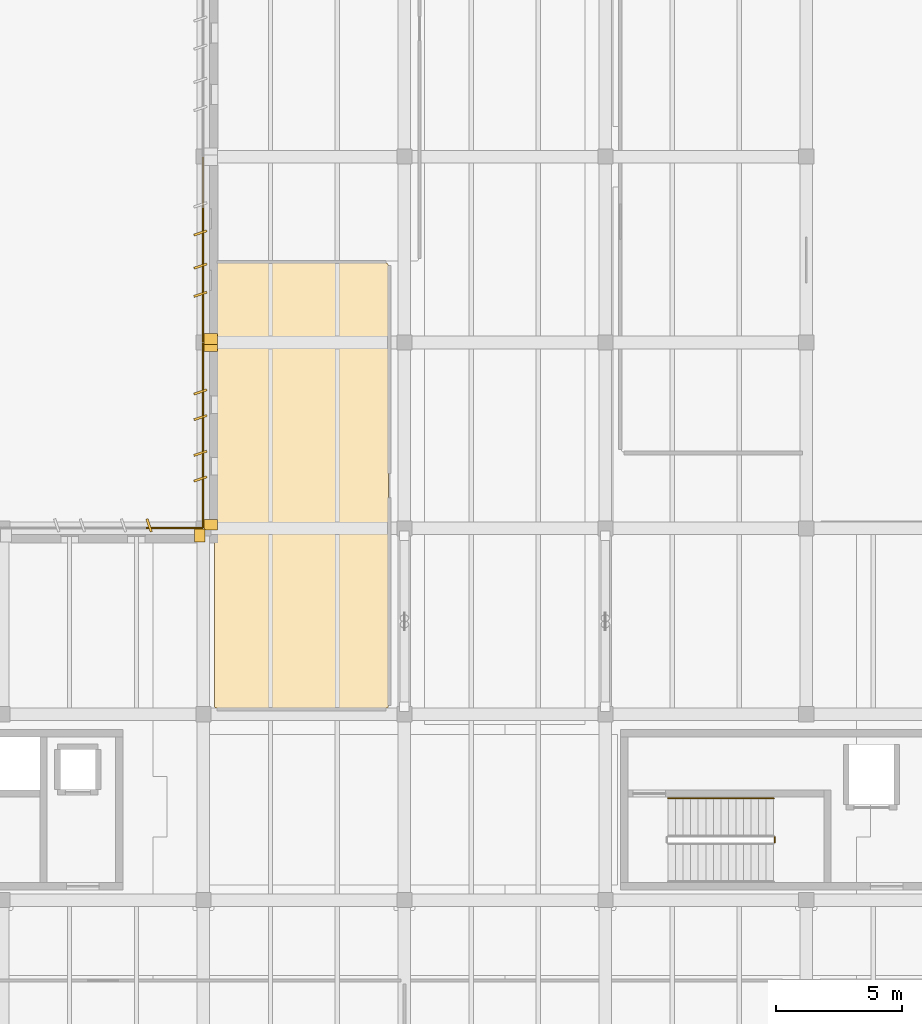
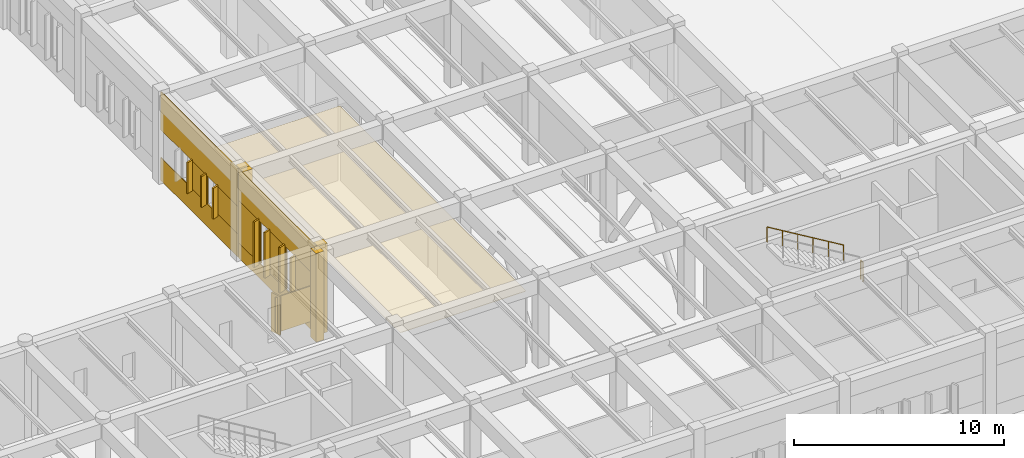
# One storey, part 50 of 56: 23 coverings, 2 railings.
"""IFC4 building model written with IfcOpenShell, lengths in metres."""

from ifc_helpers import new_model, si_unit, direction, frame, frame_2d, origin, origin_2d, place, context, subcontext, project, spatial, polyline, rectangle, circle, outline, extrude, material, layer, layer_set, type_object, element, save


model = new_model("IFC4")

# Units and contexts
model_context = context("Model", 3, precision=1e-05, world=origin(), true_north=direction((0.0, 1.0)))
body_context = subcontext(model_context, "Body", "Model", "MODEL_VIEW")
ifc_project = project(units=[si_unit("LENGTHUNIT", "METRE"), si_unit("AREAUNIT", "SQUARE_METRE"), si_unit("VOLUMEUNIT", "CUBIC_METRE"), si_unit("PLANEANGLEUNIT", "RADIAN"), si_unit("MASSUNIT", "GRAM", prefix="KILO")], contexts=[model_context])

# Site, building, storey
site_placement = place(None, origin())
site = spatial("IfcSite", under=ifc_project, at=site_placement, CompositionType="ELEMENT")
building_placement = place(site_placement, origin())
building = spatial("IfcBuilding", under=site, at=building_placement, Name="Valkorina Park Police Headquarters", CompositionType="ELEMENT")
storey_placement = place(building_placement, origin())
storey = spatial("IfcBuildingStorey", under=building, at=storey_placement, Name="L01", CompositionType="ELEMENT", Elevation=0.0)

# Coverings
ifc_material_1 = material(Name="Acoustic mineral board")
ifc_layer_1 = layer(ifc_material_1, 0.02490234375)
ifc_layer_set_1 = layer_set([ifc_layer_1], Name="Acoustic mineral board")
covering_type_1 = type_object("IfcCoveringType", Name="COV-CEILING-ACOUST", PredefinedType="CEILING", material=ifc_layer_set_1)
covering_1_placement = place(storey_placement, frame((0.0, 0.0, 4.264892578125)))
element("IfcCovering", 1, at=covering_1_placement, inside=storey, type_object=covering_type_1, Name="Officer Male Locker and Shower Room Acoustic Suspended Ceiling", PredefinedType="CEILING", context=body_context, shape_type="SweptSolid", body=[
    extrude(outline(polyline([(104.158447265625, 74.304443359375), (104.15966796875, 74.312255859375), (104.159912109375, 74.320068359375), (104.159912109375, 91.8798828125), (104.15966796875, 91.8876953125), (104.158447265625, 91.8955078125), (104.156494140625, 91.9033203125), (104.15380859375, 91.91064453125), (104.150634765625, 91.917724609375), (104.146484375, 91.92431640625), (104.141845703125, 91.930908203125), (104.13671875, 91.9365234375), (104.130859375, 91.94189453125), (104.12451171875, 91.946533203125), (104.11767578125, 91.95068359375), (104.110595703125, 91.953857421875), (104.103271484375, 91.95654296875), (104.095703125, 91.95849609375), (104.087890625, 91.959716796875), (104.080078125, 91.9599609375), (97.320068359375, 91.9599609375), (97.312255859375, 91.959716796875), (97.304443359375, 91.95849609375), (97.296875, 91.95654296875), (97.289306640625, 91.953857421875), (97.2822265625, 91.95068359375), (97.275634765625, 91.946533203125), (97.269287109375, 91.94189453125), (97.263427734375, 91.9365234375), (97.25830078125, 91.930908203125), (97.25341796875, 91.92431640625), (97.24951171875, 91.917724609375), (97.24609375, 91.91064453125), (97.243408203125, 91.9033203125), (97.241455078125, 91.8955078125), (97.240478515625, 91.8876953125), (97.239990234375, 91.8798828125), (97.239990234375, 74.320068359375), (97.240478515625, 74.312255859375), (97.241455078125, 74.304443359375), (97.243408203125, 74.296875), (97.24609375, 74.289306640625), (97.24951171875, 74.2822265625), (97.25341796875, 74.275634765625), (97.25830078125, 74.269287109375), (97.263427734375, 74.263427734375), (97.269287109375, 74.25830078125), (97.275634765625, 74.25341796875), (97.2822265625, 74.24951171875), (97.289306640625, 74.24609375), (97.296875, 74.243408203125), (97.304443359375, 74.241455078125), (97.312255859375, 74.240478515625), (97.320068359375, 74.239990234375), (104.080078125, 74.239990234375), (104.087890625, 74.240478515625), (104.095703125, 74.241455078125), (104.103271484375, 74.243408203125), (104.110595703125, 74.24609375), (104.11767578125, 74.24951171875), (104.12451171875, 74.25341796875), (104.130859375, 74.25830078125), (104.13671875, 74.263427734375), (104.141845703125, 74.269287109375), (104.146484375, 74.275634765625), (104.150634765625, 74.2822265625), (104.15380859375, 74.289306640625), (104.156494140625, 74.296875), (104.158447265625, 74.304443359375)])), origin(), (0.0, 0.0, 1.0), 0.025146484375),
])
ifc_material_2 = material(Name="Precast concrete C40/50", Category="concrete")
ifc_layer_2 = layer(ifc_material_2, 0.044921875)
ifc_layer_set_2 = layer_set([ifc_layer_2], Name="Precast concrete C40/50")
covering_type_2 = type_object("IfcCoveringType", Name="COV-CLAD-DOLOMITE", PredefinedType="CLADDING", material=ifc_layer_set_2)
covering_2_placement = place(storey_placement, frame((96.659912109375, 81.110107421875, 0.0), z_axis=(0.0, 0.0, 1.0), x_axis=(1.0, 0.0, 0.0)))
element("IfcCovering", 2, at=covering_2_placement, inside=storey, type_object=covering_type_2, Name="L01 Exterior Joint Closure Pilaster B 0366", PredefinedType="CLADDING", context=body_context, shape_type="SweptSolid", body=[
    extrude(rectangle(XDim=0.419921875, YDim=0.52197265625, at=origin_2d()), origin(), (0.0, 0.0, 1.0), 5.139892578125),
])
covering_3_placement = place(storey_placement, frame((94.638427734375, 81.52001953125, 0.77978515625), z_axis=(0.0, 0.0, 1.0), x_axis=(-0.317304656405, 0.948323655206, 0.0)))
element("IfcCovering", 3, at=covering_3_placement, inside=storey, type_object=covering_type_2, Name="Slanted 18.5-deg Precast Window Slot Fin 0370", PredefinedType="CLADDING", context=body_context, shape_type="SweptSolid", body=[
    extrude(rectangle(XDim=0.5400390625, YDim=0.090087890625, at=origin_2d()), origin(), (0.0, 0.0, 1.0), 2.239990234375),
])
covering_4_placement = place(storey_placement, frame((94.5283203125, 81.4150390625, 0.8701171875), z_axis=(0.0, 0.0, 1.0), x_axis=(1.0, 0.0, 0.0)))
element("IfcCovering", 4, at=covering_4_placement, inside=storey, type_object=covering_type_2, Name="L01 Calm Concrete Base Slot Pier 0375", PredefinedType="CLADDING", context=body_context, shape_type="SweptSolid", body=[
    extrude(rectangle(XDim=2.251708984375, YDim=0.044921875, at=frame_2d((1.1259765625, 0.0))), origin(), (0.0, 0.0, 1.0), 2.059814453125),
])
for number, where, z_axis, x_axis, name in (
    (5, (97.090087890625, 81.5400390625, 0.0), (0.0, 0.0, 1.0), (0.0, 1.0, 0.0), "L01 Exterior Joint Closure Pilaster A 0376"),
    (6, (97.090087890625, 88.659912109375, 0.0), (0.0, 0.0, 1.0), (0.0, 1.0, 0.0), "L01 Exterior Joint Closure Pilaster B 0377"),
):
    element("IfcCovering", number, at=place(storey_placement, frame(where, z_axis=z_axis, x_axis=x_axis)), inside=storey, type_object=covering_type_2, Name=name, PredefinedType="CLADDING", context=body_context, shape_type="SweptSolid", body=[
        extrude(rectangle(XDim=0.419921875, YDim=0.52197265625, at=origin_2d()), origin(), (0.0, 0.0, 1.0), 5.139892578125),
    ])
for number, where, z_axis, x_axis, name in (
    (7, (96.679931640625, 83.36962890625, 0.7802734375), (0.0, 0.0, 1.0), (-0.948323655206, -0.317304656405, 0.0), "Slanted 18.5-deg Precast Window Slot Fin 0378"),
    (8, (96.679931640625, 84.3896484375, 0.7802734375), (0.0, 0.0, 1.0), (-0.948323655206, -0.317304656405, 0.0), "Slanted 18.5-deg Precast Window Slot Fin 0379"),
    (9, (96.679931640625, 85.810302734375, 0.7802734375), (0.0, 0.0, 1.0), (-0.948323655206, -0.317304656405, 0.0), "Slanted 18.5-deg Precast Window Slot Fin 0380"),
    (10, (96.679931640625, 86.830322265625, 0.7802734375), (0.0, 0.0, 1.0), (-0.948323655206, -0.317304656405, 0.0), "Slanted 18.5-deg Precast Window Slot Fin 0381"),
):
    element("IfcCovering", number, at=place(storey_placement, frame(where, z_axis=z_axis, x_axis=x_axis)), inside=storey, type_object=covering_type_2, Name=name, PredefinedType="CLADDING", context=body_context, shape_type="SweptSolid", body=[
        extrude(rectangle(XDim=0.5400390625, YDim=0.090087890625, at=origin_2d()), origin(), (0.0, 0.0, 1.0), 2.639892578125),
    ])
covering_5_placement = place(storey_placement, frame((96.784912109375, 81.419921875, 0.0), z_axis=(0.0, 0.0, 1.0), x_axis=(0.0, 1.0, 0.0)))
element("IfcCovering", 11, at=covering_5_placement, inside=storey, type_object=covering_type_2, Name="L01 Calm Concrete Base Sill Spandrel 0382", PredefinedType="CLADDING", context=body_context, shape_type="SweptSolid", body=[
    extrude(rectangle(XDim=7.360107421875, YDim=0.044921875, at=frame_2d((3.68017578125, 0.0))), origin(), (0.0, 0.0, 1.0), 0.8701171875),
])
covering_6_placement = place(storey_placement, frame((96.784912109375, 81.419921875, 3.330078125), z_axis=(0.0, 0.0, 1.0), x_axis=(0.0, 1.0, 0.0)))
element("IfcCovering", 12, at=covering_6_placement, inside=storey, type_object=covering_type_2, Name="L01 Calm Concrete Base Lintel Spandrel 0383", PredefinedType="CLADDING", context=body_context, shape_type="SweptSolid", body=[
    extrude(rectangle(XDim=7.360107421875, YDim=0.044921875, at=frame_2d((3.68017578125, 0.0))), origin(), (0.0, 0.0, 1.0), 1.809814453125),
])
covering_7_placement = place(storey_placement, frame((96.784912109375, 81.419921875, 0.8701171875), z_axis=(0.0, 0.0, 1.0), x_axis=(0.0, 1.0, 0.0)))
element("IfcCovering", 13, at=covering_7_placement, inside=storey, type_object=covering_type_2, Name="L01 Calm Concrete Base Slot Pier 0384", PredefinedType="CLADDING", context=body_context, shape_type="SweptSolid", body=[
    extrude(rectangle(XDim=2.0595703125, YDim=0.044921875, at=frame_2d((1.02978515625, 0.0))), origin(), (0.0, 0.0, 1.0), 2.4599609375),
])
covering_8_placement = place(storey_placement, frame((96.784912109375, 84.279541015625, 0.8701171875), z_axis=(0.0, 0.0, 1.0), x_axis=(0.0, 1.0, 0.0)))
element("IfcCovering", 14, at=covering_8_placement, inside=storey, type_object=covering_type_2, Name="L01 Calm Concrete Base Slot Pier 0385", PredefinedType="CLADDING", context=body_context, shape_type="SweptSolid", body=[
    extrude(rectangle(XDim=1.640869140625, YDim=0.044921875, at=frame_2d((0.8203125, 0.0))), origin(), (0.0, 0.0, 1.0), 2.4599609375),
])
covering_9_placement = place(storey_placement, frame((96.784912109375, 86.720458984375, 0.8701171875), z_axis=(0.0, 0.0, 1.0), x_axis=(0.0, 1.0, 0.0)))
element("IfcCovering", 15, at=covering_9_placement, inside=storey, type_object=covering_type_2, Name="L01 Calm Concrete Base Slot Pier 0386", PredefinedType="CLADDING", context=body_context, shape_type="SweptSolid", body=[
    extrude(rectangle(XDim=2.0595703125, YDim=0.044921875, at=frame_2d((1.02978515625, 0.0))), origin(), (0.0, 0.0, 1.0), 2.4599609375),
])
covering_10_placement = place(storey_placement, frame((97.090087890625, 88.93994140625, 0.0), z_axis=(0.0, 0.0, 1.0), x_axis=(0.0, 1.0, 0.0)))
element("IfcCovering", 16, at=covering_10_placement, inside=storey, type_object=covering_type_2, Name="L01 Exterior Joint Closure Pilaster A 0387", PredefinedType="CLADDING", context=body_context, shape_type="SweptSolid", body=[
    extrude(rectangle(XDim=0.419921875, YDim=0.52197265625, at=origin_2d()), origin(), (0.0, 0.0, 1.0), 5.139892578125),
])
for number, where, z_axis, x_axis, name in (
    (17, (96.679931640625, 90.719482421875, 1.22998046875), (0.0, 0.0, 1.0), (-0.948323655206, -0.317304656405, 0.0), "Slanted 18.5-deg Precast Window Slot Fin 0389"),
    (18, (96.679931640625, 91.839599609375, 1.22998046875), (0.0, 0.0, 1.0), (-0.948323655206, -0.317304656405, 0.0), "Slanted 18.5-deg Precast Window Slot Fin 0390"),
    (19, (96.679931640625, 93.160400390625, 1.22998046875), (0.0, 0.0, 1.0), (-0.948323655206, -0.317304656405, 0.0), "Slanted 18.5-deg Precast Window Slot Fin 0391"),
):
    element("IfcCovering", number, at=place(storey_placement, frame(where, z_axis=z_axis, x_axis=x_axis)), inside=storey, type_object=covering_type_2, Name=name, PredefinedType="CLADDING", context=body_context, shape_type="SweptSolid", body=[
        extrude(rectangle(XDim=0.5400390625, YDim=0.090087890625, at=origin_2d()), origin(), (0.0, 0.0, 1.0), 1.7900390625),
    ])
covering_11_placement = place(storey_placement, frame((96.784912109375, 88.820068359375, 0.0), z_axis=(0.0, 0.0, 1.0), x_axis=(0.0, 1.0, 0.0)))
element("IfcCovering", 20, at=covering_11_placement, inside=storey, type_object=covering_type_2, Name="L01 Calm Concrete Base Sill Spandrel 0393", PredefinedType="CLADDING", context=body_context, shape_type="SweptSolid", body=[
    extrude(rectangle(XDim=7.35986328125, YDim=0.044921875, at=frame_2d((3.679931640625, 0.0))), origin(), (0.0, 0.0, 1.0), 1.320068359375),
])
covering_12_placement = place(storey_placement, frame((96.784912109375, 88.820068359375, 2.929931640625), z_axis=(0.0, 0.0, 1.0), x_axis=(0.0, 1.0, 0.0)))
element("IfcCovering", 21, at=covering_12_placement, inside=storey, type_object=covering_type_2, Name="L01 Calm Concrete Base Lintel Spandrel 0394", PredefinedType="CLADDING", context=body_context, shape_type="SweptSolid", body=[
    extrude(rectangle(XDim=7.35986328125, YDim=0.044921875, at=frame_2d((3.679931640625, 0.0))), origin(), (0.0, 0.0, 1.0), 2.2099609375),
])
covering_13_placement = place(storey_placement, frame((96.784912109375, 88.820068359375, 1.320068359375), z_axis=(0.0, 0.0, 1.0), x_axis=(0.0, 1.0, 0.0)))
element("IfcCovering", 22, at=covering_13_placement, inside=storey, type_object=covering_type_2, Name="L01 Calm Concrete Base Slot Pier 0395", PredefinedType="CLADDING", context=body_context, shape_type="SweptSolid", body=[
    extrude(rectangle(XDim=2.009521484375, YDim=0.044921875, at=frame_2d((1.0048828125, 0.0))), origin(), (0.0, 0.0, 1.0), 1.60986328125),
])
covering_14_placement = place(storey_placement, frame((96.784912109375, 91.7294921875, 1.320068359375), z_axis=(0.0, 0.0, 1.0), x_axis=(0.0, 1.0, 0.0)))
element("IfcCovering", 23, at=covering_14_placement, inside=storey, type_object=covering_type_2, Name="L01 Calm Concrete Base Slot Pier 0396", PredefinedType="CLADDING", context=body_context, shape_type="SweptSolid", body=[
    extrude(rectangle(XDim=1.541015625, YDim=0.044921875, at=frame_2d((0.7705078125, 0.0))), origin(), (0.0, 0.0, 1.0), 1.60986328125),
])

# Railings
ifc_material_3 = material(Name="Stainless steel EN 1.4404", Category="steel")
railing_type_1 = type_object("IfcRailingType", Name="RL-GUARD-INT-1100", PredefinedType="BALUSTRADE", material=ifc_material_3)
railing_1_placement = place(storey_placement, frame((119.550048828125, 68.89990234375, 2.699951171875)))
element("IfcRailing", 24, at=railing_1_placement, inside=storey, type_object=railing_type_1, Name="L01 Core C5 Stair Guard 2", PredefinedType="BALUSTRADE", context=body_context, shape_type="SweptSolid", body=[
    extrude(circle(Radius=0.02392578125, at=origin_2d()), frame((0.0, 0.0, 1.09619140625), z_axis=(0.0, 1.0, 0.0), x_axis=(-1.0, 0.0, 0.0)), (0.0, 0.0, 1.0), 0.2001953125),
    extrude(circle(Radius=0.02099609375, at=origin_2d()), origin(), (0.0, 0.0, 1.0), 1.072021484375),
    extrude(circle(Radius=0.02099609375, at=origin_2d()), frame((0.0, 0.2001953125, 0.0)), (0.0, 0.0, 1.0), 1.072021484375),
])
railing_type_2 = type_object("IfcRailingType", Name="RL-HANDRAIL-900", PredefinedType="HANDRAIL", material=ifc_material_3)
railing_2_placement = place(storey_placement, frame((119.5, 70.64990234375, 2.8798828125)))
element("IfcRailing", 25, at=railing_2_placement, inside=storey, type_object=railing_type_2, Name="L01 Core C5 Stair Handrail 2", PredefinedType="HANDRAIL", context=body_context, shape_type="SweptSolid", body=[
    extrude(circle(Radius=0.02392578125, at=origin_2d()), frame((0.0, 0.0, 0.8759765625), z_axis=(-0.857488527567, 0.0, 0.514503085598), x_axis=(0.0, -1.0, 0.0)), (0.0, 0.0, 1.0), 4.89794921875),
    extrude(circle(Radius=0.02099609375, at=origin_2d()), origin(), (0.0, 0.0, 1.0), 0.851806640625),
    extrude(circle(Radius=0.02099609375, at=origin_2d()), frame((-0.840087890625, 0.0, 0.50390625)), (0.0, 0.0, 1.0), 0.851806640625),
    extrude(circle(Radius=0.02099609375, at=origin_2d()), frame((-1.679931640625, 0.0, 1.008056640625)), (0.0, 0.0, 1.0), 0.851806640625),
    extrude(circle(Radius=0.02099609375, at=origin_2d()), frame((-2.52001953125, 0.0, 1.511962890625)), (0.0, 0.0, 1.0), 0.851806640625),
    extrude(circle(Radius=0.02099609375, at=origin_2d()), frame((-3.35986328125, 0.0, 2.01611328125)), (0.0, 0.0, 1.0), 0.851806640625),
    extrude(circle(Radius=0.02099609375, at=origin_2d()), frame((-4.199951171875, 0.0, 2.52001953125)), (0.0, 0.0, 1.0), 0.851806640625),
])

save(model, "model.ifc")
